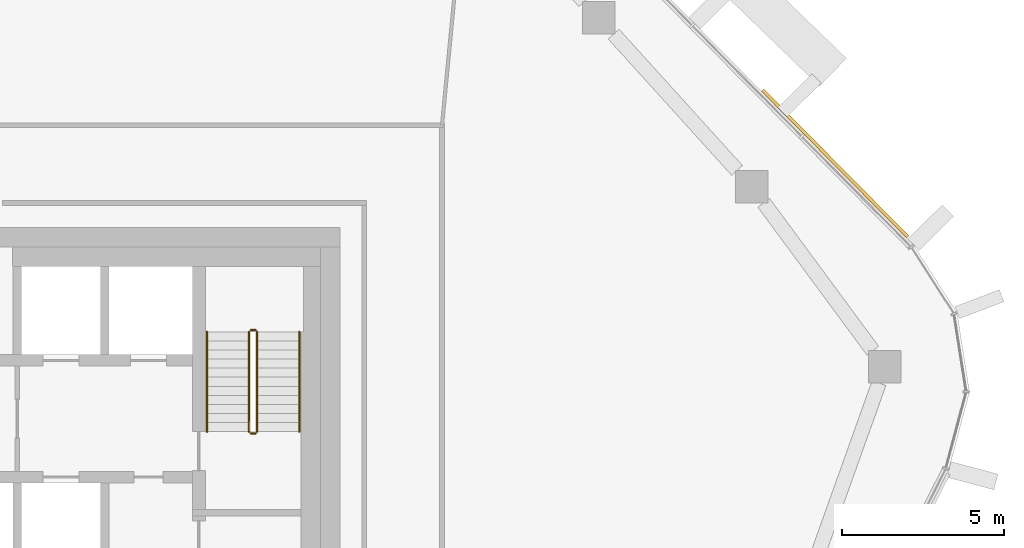
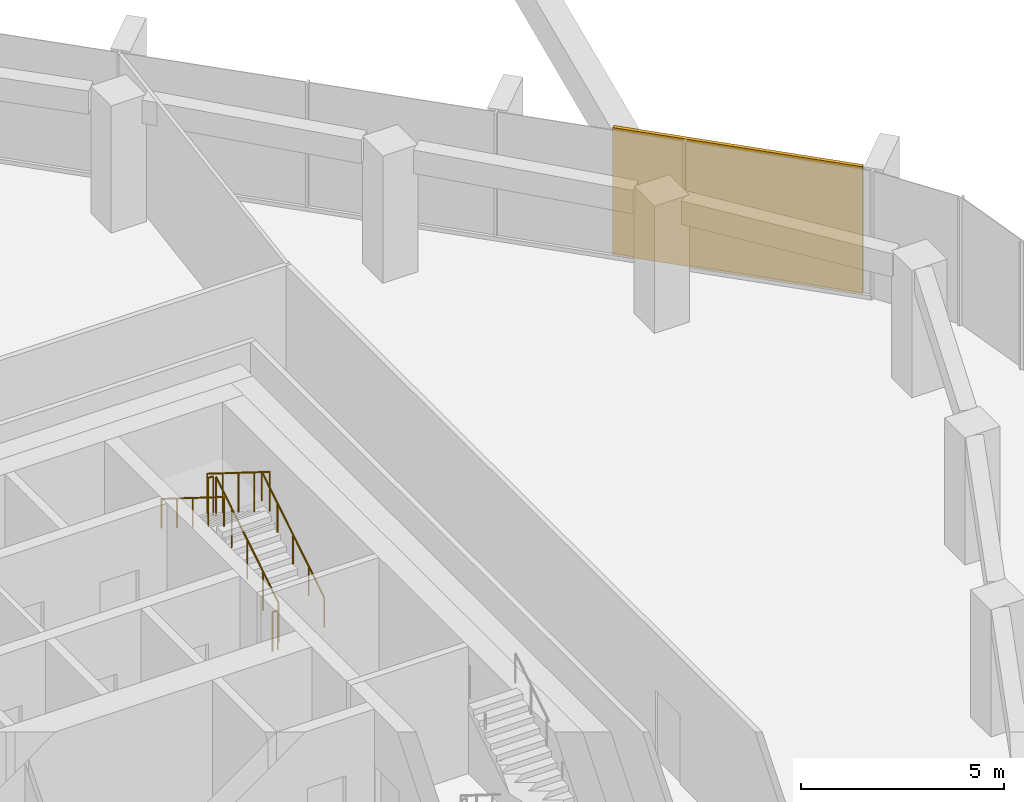
# One storey, part 22 of 23: 6 railings, 1 covering, 1 element without a shape of its own.
"""IFC4 building model written with IfcOpenShell, lengths in metres."""

import ifcopenshell
import ifcopenshell.guid

model = None  # the IFC model being written
_history = None  # IfcOwnerHistory: only IFC2X3 demands one
_inside = {}  # id of a spatial element -> (the spatial element, [elements in it])
_under = {}  # id of a project, library or spatial element -> (it, [spatial elements below it])
_declared = {}  # id of a project -> (the project, [libraries it declares])
_typed = {}  # id of a type object -> (the type object, [elements of that type])
_made_of = {}  # id of a material, layer set ... -> (it, [elements and type objects made of it])


def new_model(schema):
    """Start an empty IFC model of exactly this schema.

    Asked for "IFC4X3", IfcOpenShell would pick the latest addendum, in which some entities
    have other attributes; the version numbers below select the first issue.
    IFC2X3 requires an IfcOwnerHistory on every rooted entity: one is made here for all.
    """
    global model, _history
    if schema == "IFC4X3":
        model = ifcopenshell.file(schema_version=(4, 3, 0, 0))
    else:
        model = ifcopenshell.file(schema=schema)
    _inside.clear()
    _under.clear()
    _declared.clear()
    _typed.clear()
    _made_of.clear()
    _history = None
    if model.schema == "IFC2X3":
        org = make("IfcOrganization", Name="unknown")
        user = make(
            "IfcPersonAndOrganization",
            ThePerson=make("IfcPerson", FamilyName="unknown"),
            TheOrganization=org,
        )
        app = make(
            "IfcApplication",
            ApplicationDeveloper=org,
            Version="unknown",
            ApplicationFullName="unknown",
            ApplicationIdentifier="unknown",
        )
        _history = make(
            "IfcOwnerHistory",
            OwningUser=user,
            OwningApplication=app,
            ChangeAction="ADDED",
            CreationDate=0,
        )
    return model


def make(cls, **values):
    """One entity of the class cls with the attributes given. An attribute that is None is left unset."""
    return model.create_entity(
        cls, **{name: value for name, value in values.items() if value is not None}
    )


def rooted(cls, **values):
    """An entity with a GlobalId (a new one), such as an element, a storey or a relation."""
    return make(cls, GlobalId=ifcopenshell.guid.new(), OwnerHistory=_history, **values)


def si_unit(unit_type, name, prefix=None):
    """IfcSIUnit, for example si_unit("LENGTHUNIT", "METRE", prefix="MILLI")."""
    return make("IfcSIUnit", UnitType=unit_type, Prefix=prefix, Name=name)


def assignment(units):
    """IfcUnitAssignment: the units of a project."""
    return None if units is None else make("IfcUnitAssignment", Units=units)


def point(xyz):
    """IfcCartesianPoint."""
    return None if xyz is None else make("IfcCartesianPoint", Coordinates=xyz)


def direction(xyz):
    """IfcDirection."""
    return None if xyz is None else make("IfcDirection", DirectionRatios=xyz)


def frame(location, z_axis=None, x_axis=None):
    """IfcAxis2Placement3D, a coordinate frame: its origin and axes. An axis left out is left unset."""
    return make(
        "IfcAxis2Placement3D",
        Location=point(location),
        Axis=direction(z_axis),
        RefDirection=direction(x_axis),
    )


def frame_2d(location, x_axis=None):
    """IfcAxis2Placement2D, a coordinate frame in the plane: its origin and x axis."""
    return make(
        "IfcAxis2Placement2D", Location=point(location), RefDirection=direction(x_axis)
    )


def origin():
    """The frame at (0, 0, 0) with its axes left unset."""
    return frame((0.0, 0.0, 0.0))


def origin_2d():
    """The frame at (0, 0) in the plane with its x axis left unset."""
    return frame_2d((0.0, 0.0))


def place(relative_to, where):
    """IfcLocalPlacement: puts the frame where relative to a parent placement (None: the world)."""
    return make(
        "IfcLocalPlacement", PlacementRelTo=relative_to, RelativePlacement=where
    )


def context(
    kind, dimensions, precision=None, world=None, true_north=None, identifier=None
):
    """IfcGeometricRepresentationContext, for example the 3D "Model" context."""
    return make(
        "IfcGeometricRepresentationContext",
        ContextIdentifier=identifier,
        ContextType=kind,
        CoordinateSpaceDimension=dimensions,
        Precision=precision,
        WorldCoordinateSystem=world,
        TrueNorth=true_north,
    )


def subcontext(parent, identifier, kind, view, scale=None):
    """IfcGeometricRepresentationSubContext, for example "Body" below "Model"."""
    return make(
        "IfcGeometricRepresentationSubContext",
        ContextIdentifier=identifier,
        ContextType=kind,
        ParentContext=parent,
        TargetScale=scale,
        TargetView=view,
    )


def project(units=None, contexts=None):
    """IfcProject with its units and contexts."""
    return rooted(
        "IfcProject",
        Name="project",
        RepresentationContexts=contexts,
        UnitsInContext=assignment(units),
    )


def spatial(cls, under=None, at=None, **own):
    """A site, building, storey or space (cls), placed at a placement, below another one or the project."""
    s = rooted(cls, ObjectPlacement=at, **own)
    if under is not None:
        _under.setdefault(under.id(), (under, []))[1].append(s)
    return s


def profile(cls, at=None, kind="AREA", **sizes):
    """A parametric profile (cls). Its sizes go by their IFC names, for example OverallWidth=200.0."""
    return make(cls, ProfileType=kind, Position=at, **sizes)


def rectangle(**sizes):
    """IfcRectangleProfileDef."""
    return profile("IfcRectangleProfileDef", **sizes)


def circle(**sizes):
    """IfcCircleProfileDef."""
    return profile("IfcCircleProfileDef", **sizes)


def extrude(swept, where, along, depth):
    """IfcExtrudedAreaSolid: the profile swept, set in the frame where, extruded along a direction by depth."""
    return make(
        "IfcExtrudedAreaSolid",
        SweptArea=swept,
        Position=where,
        ExtrudedDirection=direction(along),
        Depth=depth,
    )


def shape(context_of_items, identifier, shape_type, items):
    """IfcShapeRepresentation: the items that make up one representation, for example the "Body"."""
    return make(
        "IfcShapeRepresentation",
        ContextOfItems=context_of_items,
        RepresentationIdentifier=identifier,
        RepresentationType=shape_type,
        Items=items,
    )


def material(Name=None, Category=None):
    """IfcMaterial."""
    return make("IfcMaterial", Name=Name, Category=Category)


def layer(
    of_material, thickness, ventilated=None, Name=None, Category=None, Priority=None
):
    """IfcMaterialLayer: one layer of a wall or slab, of a material (None: an air gap)."""
    return make(
        "IfcMaterialLayer",
        Material=of_material,
        LayerThickness=thickness,
        IsVentilated=ventilated,
        Name=Name,
        Category=Category,
        Priority=Priority,
    )


def layer_set(layers, Name=None):
    """IfcMaterialLayerSet."""
    return make("IfcMaterialLayerSet", MaterialLayers=layers, LayerSetName=Name)


def made_of(thing, what):
    """Note that an element or type object is made of a material, layer set ...; save() writes the relation."""
    if what is not None:
        _made_of.setdefault(what.id(), (what, []))[1].append(thing)
    return thing


def type_object(cls, material=None, **own):
    """A type object (cls), such as IfcWallType, which elements share."""
    return made_of(rooted(cls, **own), material)


def element(
    cls,
    number,
    at=None,
    inside=None,
    cuts=None,
    type_object=None,
    material=None,
    context=None,
    identifier="Body",
    shape_type=None,
    held_by="IfcProductDefinitionShape",
    body=None,
    shapes=None,
    **own,
):
    """One element of the class cls, such as IfcWall. Its Tag is "e" and its number.

    at: its placement. inside: the storey or other place that contains it. cuts: it is an
    opening in that element (IfcRelVoidsElement). A single representation is given by context,
    identifier, shape_type and body (its items); several are given by shapes. held_by: the class
    of the entity that holds the representations. save() writes the other relations.
    """
    e = rooted(cls, Tag="e%d" % number, ObjectPlacement=at, **own)
    if body is not None:
        shapes = [shape(context, identifier, shape_type, body)]
    if shapes is not None:
        e.Representation = make(held_by, Representations=shapes)
    if inside is not None:
        _inside.setdefault(inside.id(), (inside, []))[1].append(e)
    if cuts is not None:
        rooted(
            "IfcRelVoidsElement", RelatingBuildingElement=cuts, RelatedOpeningElement=e
        )
    if type_object is not None:
        _typed.setdefault(type_object.id(), (type_object, []))[1].append(e)
    return made_of(e, material)


def aggregate(whole, parts):
    """IfcRelAggregates: a whole, such as a stair, and the parts it consists of."""
    return rooted("IfcRelAggregates", RelatingObject=whole, RelatedObjects=parts)


def save(model, path):
    """Write the relations noted so far, then the file.

    IfcRelAggregates (storeys below a building ...), IfcRelContainedInSpatialStructure (elements
    in a storey), IfcRelDefinesByType, IfcRelAssociatesMaterial and IfcRelDeclares: one each for
    every whole, place, type object, material and project.
    """
    for whole, parts in _under.values():
        aggregate(whole, parts)
    for where, things in _inside.values():
        rooted(
            "IfcRelContainedInSpatialStructure",
            RelatedElements=things,
            RelatingStructure=where,
        )
    for kind, things in _typed.values():
        rooted("IfcRelDefinesByType", RelatedObjects=things, RelatingType=kind)
    for what, things in _made_of.values():
        rooted("IfcRelAssociatesMaterial", RelatedObjects=things, RelatingMaterial=what)
    for by, libraries in _declared.values():
        rooted("IfcRelDeclares", RelatingContext=by, RelatedDefinitions=libraries)
    model.write(path)


model = new_model("IFC4")

# Units and contexts
model_context = context("Model", 3, precision=1e-05, world=origin(), true_north=direction((0.0, 1.0)))
body_context = subcontext(model_context, "Body", "Model", "MODEL_VIEW")
ifc_project = project(units=[si_unit("LENGTHUNIT", "METRE"), si_unit("AREAUNIT", "SQUARE_METRE"), si_unit("VOLUMEUNIT", "CUBIC_METRE"), si_unit("PLANEANGLEUNIT", "RADIAN"), si_unit("MASSUNIT", "GRAM", prefix="KILO")], contexts=[model_context])

# Site, building, storey
site_placement = place(None, origin())
site = spatial("IfcSite", under=ifc_project, at=site_placement, CompositionType="ELEMENT")
building_placement = place(site_placement, origin())
building = spatial("IfcBuilding", under=site, at=building_placement, Name="Dongbaek Canopy Tower", CompositionType="ELEMENT")
storey_placement = place(building_placement, frame((0.0, 0.0, 327.800048828125)))
storey = spatial("IfcBuildingStorey", under=building, at=storey_placement, Name="L70", CompositionType="ELEMENT", Elevation=327.800048828125)

# Curtain wall, covering
ifc_material_1 = material(Name="Aluminium 6063-T6 pale anodised", Category="aluminium")
ifc_layer_1 = layer(ifc_material_1, 0.199951171875)
ifc_layer_set_1 = layer_set([ifc_layer_1], Name="CW-1 unitised tower curtain wall")
curtain_wall_type = type_object("IfcCurtainWallType", Name="CW-1 unitised tower curtain wall", PredefinedType="NOTDEFINED", material=ifc_layer_set_1)
curtain_wall_placement = place(storey_placement, origin())
curtain_wall = element("IfcCurtainWall", 1, at=curtain_wall_placement, inside=storey, type_object=curtain_wall_type, Name="CW-1 curtain wall F0.1", PredefinedType="NOTDEFINED")
ifc_material_2 = material(Name="Perforated aluminium 6063-T6 pale metal screen", Category="aluminium")
ifc_layer_2 = layer(ifc_material_2, 0.10009765625)
ifc_layer_set_2 = layer_set([ifc_layer_2], Name="Facet screen FS1 100 pale metal")
covering_type = type_object("IfcCoveringType", Name="Facet screen FS1 100 pale metal", PredefinedType="CLADDING", material=ifc_layer_set_2)
covering_placement = place(storey_placement, frame((29.276611328125, 12.968017578125, 0.0), z_axis=(0.0, 0.0, 1.0), x_axis=(-0.703156472132, 0.711035143787, 0.0)))
covering = element("IfcCovering", 2, at=covering_placement, type_object=covering_type, Name="Facet screen L70 F0", PredefinedType="CLADDING", context=body_context, shape_type="SweptSolid", body=[
    extrude(rectangle(XDim=6.37060546875, YDim=0.10009765625, at=origin_2d()), origin(), (0.0, 0.0, 1.0), 3.820068359375),
])
aggregate(curtain_wall, [covering])

# Railings
ifc_material_3 = material(Name="Stainless steel tube and balusters", Category="steel")
railing_type_1 = type_object("IfcRailingType", Name="Stair guard 1200", PredefinedType="GUARDRAIL", material=ifc_material_3)
railing_1_placement = place(storey_placement, frame((11.449951171875, 4.699951171875, 0.175048828125)))
element("IfcRailing", 3, at=railing_1_placement, inside=storey, type_object=railing_type_1, Name="L70 ST-A stair guard 1", PredefinedType="GUARDRAIL", context=body_context, shape_type="SweptSolid", body=[
    extrude(circle(Radius=0.02392578125, at=origin_2d()), frame((0.0, 0.0, 1.17578125), z_axis=(0.0, 0.848028513186, 0.529950602248), x_axis=(-1.0, 0.0, 0.0)), (0.0, 0.0, 1.0), 3.632080078125),
    extrude(circle(Radius=0.02099609375, at=origin_2d()), origin(), (0.0, 0.0, 1.0), 1.15185546875),
    extrude(circle(Radius=0.02099609375, at=origin_2d()), frame((0.0, 0.77001953125, 0.481201171875)), (0.0, 0.0, 1.0), 1.15185546875),
    extrude(circle(Radius=0.02099609375, at=origin_2d()), frame((0.0, 1.5400390625, 0.96240234375)), (0.0, 0.0, 1.0), 1.15185546875),
    extrude(circle(Radius=0.02099609375, at=origin_2d()), frame((0.0, 2.31005859375, 1.443603515625)), (0.0, 0.0, 1.0), 1.15185546875),
    extrude(circle(Radius=0.02099609375, at=origin_2d()), frame((0.0, 3.080078125, 1.9248046875)), (0.0, 0.0, 1.0), 1.15185546875),
])
railing_2_placement = place(storey_placement, frame((11.39990234375, 7.830078125, 2.099853515625)))
element("IfcRailing", 4, at=railing_2_placement, inside=storey, type_object=railing_type_1, Name="L70 ST-A stair guard 2", PredefinedType="GUARDRAIL", context=body_context, shape_type="SweptSolid", body=[
    extrude(circle(Radius=0.02392578125, at=origin_2d()), frame((0.0, 0.0, 1.17578125), z_axis=(-1.0, 0.0, 0.0), x_axis=(0.0, -1.0, 0.0)), (0.0, 0.0, 1.0), 0.14990234375),
    extrude(circle(Radius=0.02099609375, at=origin_2d()), origin(), (0.0, 0.0, 1.0), 1.15185546875),
    extrude(circle(Radius=0.02099609375, at=origin_2d()), frame((-0.14990234375, 0.0, 0.0)), (0.0, 0.0, 1.0), 1.15185546875),
])
railing_3_placement = place(storey_placement, frame((11.199951171875, 7.780029296875, 2.27490234375)))
element("IfcRailing", 5, at=railing_3_placement, inside=storey, type_object=railing_type_1, Name="L70 ST-A stair guard 3", PredefinedType="GUARDRAIL", context=body_context, shape_type="SweptSolid", body=[
    extrude(circle(Radius=0.02392578125, at=origin_2d()), frame((0.0, 0.0, 1.17578125), z_axis=(0.0, -0.847998304005, 0.529998940003), x_axis=(1.0, 0.0, 0.0)), (0.0, 0.0, 1.0), 3.632080078125),
    extrude(circle(Radius=0.02099609375, at=origin_2d()), origin(), (0.0, 0.0, 1.0), 1.15185546875),
    extrude(circle(Radius=0.02099609375, at=origin_2d()), frame((0.0, -0.77001953125, 0.481201171875)), (0.0, 0.0, 1.0), 1.15185546875),
    extrude(circle(Radius=0.02099609375, at=origin_2d()), frame((0.0, -1.5400390625, 0.96240234375)), (0.0, 0.0, 1.0), 1.15185546875),
    extrude(circle(Radius=0.02099609375, at=origin_2d()), frame((0.0, -2.31005859375, 1.44384765625)), (0.0, 0.0, 1.0), 1.15185546875),
    extrude(circle(Radius=0.02099609375, at=origin_2d()), frame((0.0, -3.080078125, 1.925048828125)), (0.0, 0.0, 1.0), 1.15185546875),
])
railing_4_placement = place(storey_placement, frame((11.39990234375, 4.64990234375, 0.0)))
element("IfcRailing", 6, at=railing_4_placement, inside=storey, type_object=railing_type_1, Name="L70 ST-A stair guard 4", PredefinedType="GUARDRAIL", context=body_context, shape_type="SweptSolid", body=[
    extrude(circle(Radius=0.02392578125, at=origin_2d()), frame((0.0, 0.0, 1.17578125), z_axis=(-1.0, 0.0, 0.0), x_axis=(0.0, -1.0, 0.0)), (0.0, 0.0, 1.0), 0.14990234375),
    extrude(circle(Radius=0.02099609375, at=origin_2d()), origin(), (0.0, 0.0, 1.0), 1.15185546875),
    extrude(circle(Radius=0.02099609375, at=origin_2d()), frame((-0.14990234375, 0.0, 0.0)), (0.0, 0.0, 1.0), 1.15185546875),
])
ifc_material_4 = material(Name="Stainless steel tube", Category="steel")
railing_type_2 = type_object("IfcRailingType", Name="Stair handrail 900", PredefinedType="HANDRAIL", material=ifc_material_4)
railing_5_placement = place(storey_placement, frame((12.75, 4.699951171875, 0.175048828125)))
element("IfcRailing", 7, at=railing_5_placement, inside=storey, type_object=railing_type_2, Name="L70 ST-A stair handrail 1", PredefinedType="HANDRAIL", context=body_context, shape_type="SweptSolid", body=[
    extrude(circle(Radius=0.02392578125, at=origin_2d()), frame((0.0, 0.0, 0.8759765625), z_axis=(0.0, 0.848028513186, 0.529950602248), x_axis=(-1.0, 0.0, 0.0)), (0.0, 0.0, 1.0), 3.632080078125),
    extrude(circle(Radius=0.02099609375, at=origin_2d()), origin(), (0.0, 0.0, 1.0), 0.851806640625),
    extrude(circle(Radius=0.02099609375, at=origin_2d()), frame((0.0, 0.77001953125, 0.481201171875)), (0.0, 0.0, 1.0), 0.851806640625),
    extrude(circle(Radius=0.02099609375, at=origin_2d()), frame((0.0, 1.5400390625, 0.96240234375)), (0.0, 0.0, 1.0), 0.851806640625),
    extrude(circle(Radius=0.02099609375, at=origin_2d()), frame((0.0, 2.31005859375, 1.443603515625)), (0.0, 0.0, 1.0), 0.851806640625),
    extrude(circle(Radius=0.02099609375, at=origin_2d()), frame((0.0, 3.080078125, 1.9248046875)), (0.0, 0.0, 1.0), 0.851806640625),
])
railing_6_placement = place(storey_placement, frame((9.89990234375, 7.780029296875, 2.27490234375)))
element("IfcRailing", 8, at=railing_6_placement, inside=storey, type_object=railing_type_2, Name="L70 ST-A stair handrail 2", PredefinedType="HANDRAIL", context=body_context, shape_type="SweptSolid", body=[
    extrude(circle(Radius=0.02392578125, at=origin_2d()), frame((0.0, 0.0, 0.8759765625), z_axis=(0.0, -0.847998304005, 0.529998940003), x_axis=(1.0, 0.0, 0.0)), (0.0, 0.0, 1.0), 3.632080078125),
    extrude(circle(Radius=0.02099609375, at=origin_2d()), origin(), (0.0, 0.0, 1.0), 0.851806640625),
    extrude(circle(Radius=0.02099609375, at=origin_2d()), frame((0.0, -0.77001953125, 0.481201171875)), (0.0, 0.0, 1.0), 0.851806640625),
    extrude(circle(Radius=0.02099609375, at=origin_2d()), frame((0.0, -1.5400390625, 0.96240234375)), (0.0, 0.0, 1.0), 0.851806640625),
    extrude(circle(Radius=0.02099609375, at=origin_2d()), frame((0.0, -2.31005859375, 1.44384765625)), (0.0, 0.0, 1.0), 0.851806640625),
    extrude(circle(Radius=0.02099609375, at=origin_2d()), frame((0.0, -3.080078125, 1.925048828125)), (0.0, 0.0, 1.0), 0.851806640625),
])

save(model, "model.ifc")
